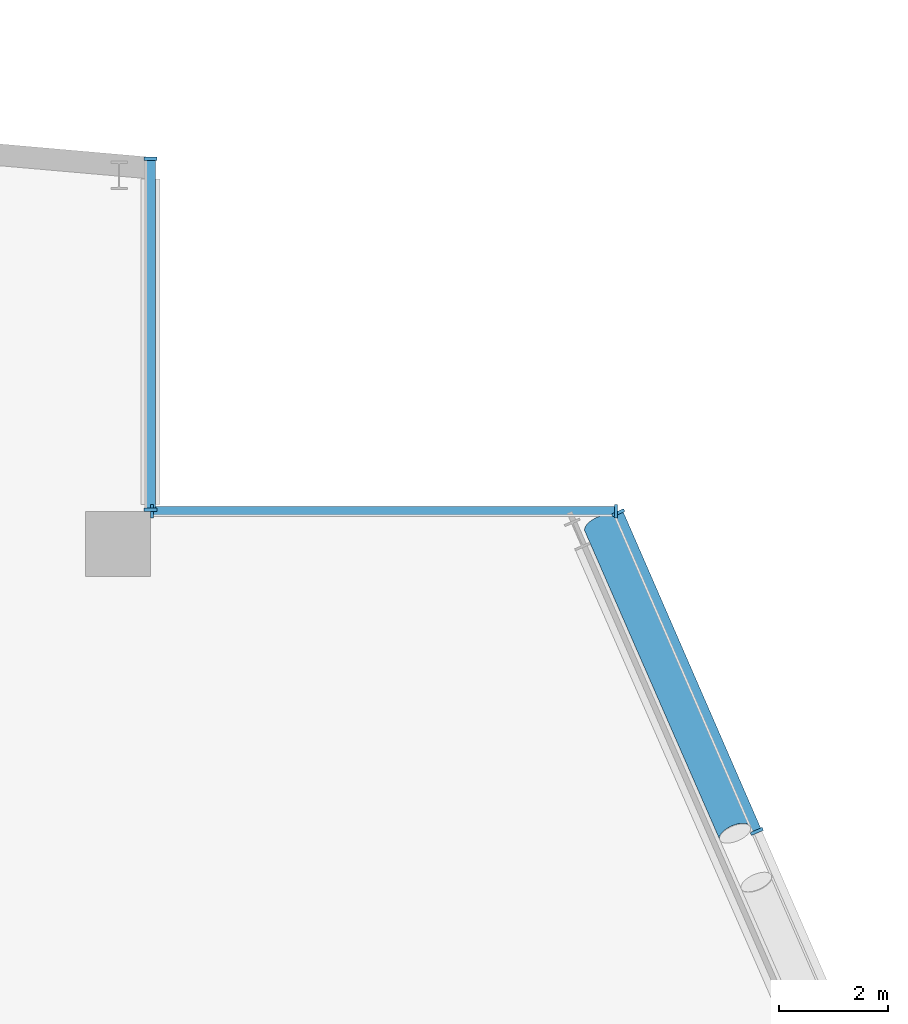
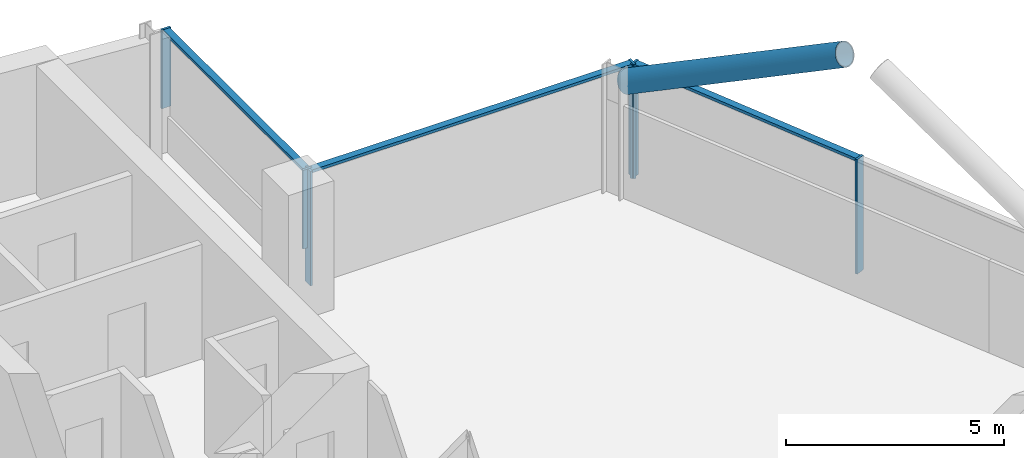
# One storey, part 11 of 25: 10 members, 3 elements without a shape of their own.
"""IFC4 building model written with IfcOpenShell, lengths in metres."""

from ifc_helpers import new_model, si_unit, direction, frame, origin, origin_2d, place, context, subcontext, project, spatial, rectangle, hollow_circle, extrude, material, material_profile, profile_set, type_object, element, aggregate, save


model = new_model("IFC4")

# Units and contexts
model_context = context("Model", 3, precision=1e-05, world=origin(), true_north=direction((0.0, 1.0)))
body_context = subcontext(model_context, "Body", "Model", "MODEL_VIEW")
ifc_project = project(units=[si_unit("LENGTHUNIT", "METRE"), si_unit("AREAUNIT", "SQUARE_METRE"), si_unit("VOLUMEUNIT", "CUBIC_METRE"), si_unit("PLANEANGLEUNIT", "RADIAN"), si_unit("MASSUNIT", "GRAM", prefix="KILO")], contexts=[model_context])

# Site, building, storey
site_placement = place(None, origin())
site = spatial("IfcSite", under=ifc_project, at=site_placement, CompositionType="ELEMENT")
building_placement = place(site_placement, origin())
building = spatial("IfcBuilding", under=site, at=building_placement, Name="Wharfspan Tower", CompositionType="ELEMENT")
storey_placement = place(building_placement, frame((0.0, 0.0, 232.300049)))
storey = spatial("IfcBuildingStorey", under=building, at=storey_placement, Name="L58", CompositionType="ELEMENT", Elevation=232.300049)

# Curtain wall, members
ifc_material_1 = material(Name="Aluminium 6063-T6", Category="aluminium")
curtain_wall_type = type_object("IfcCurtainWallType", Name="CURTAIN WALL PROW AND END", PredefinedType="NOTDEFINED", material=ifc_material_1)
curtain_wall_1_placement = place(storey_placement, origin())
curtain_wall_1 = element("IfcCurtainWall", 1, at=curtain_wall_1_placement, inside=storey, type_object=curtain_wall_type, Name="Curtain wall E", PredefinedType="NOTDEFINED")
ifc_material_profile_1 = material_profile(ifc_material_1, rectangle(XDim=0.23999, YDim=0.060059, at=origin_2d()))
ifc_profile_set_1 = profile_set([ifc_material_profile_1], Name="Aluminium 6063-T6")
member_type_1 = type_object("IfcMemberType", Name="MULLION PROW AND END 60x240", PredefinedType="MULLION", material=ifc_profile_set_1)
member_1_placement = place(storey_placement, frame((72.173828, 36.100098, 0.0), z_axis=(0.0, 0.0, 1.0), x_axis=(-0.917072, -0.398727, 0.0)))
member_1 = element("IfcMember", 2, at=member_1_placement, type_object=member_type_1, Name="Curtain wall E mullion 6", PredefinedType="MULLION", context=body_context, shape_type="SweptSolid", body=[
    extrude(rectangle(XDim=0.23999, YDim=0.060059, at=origin_2d()), origin(), (0.0, 0.0, 1.0), 3.199951),
])
member_2_placement = place(storey_placement, frame((69.620605, 41.972412, 0.0), z_axis=(0.0, 0.0, 1.0), x_axis=(-0.917072, -0.398727, 0.0)))
member_2 = element("IfcMember", 3, at=member_2_placement, type_object=member_type_1, Name="Curtain wall E mullion 7", PredefinedType="MULLION", context=body_context, shape_type="SweptSolid", body=[
    extrude(rectangle(XDim=0.23999, YDim=0.060059, at=origin_2d()), origin(), (0.0, 0.0, 1.0), 3.199951),
])

curtain_wall_2_placement = place(storey_placement, origin())
curtain_wall_2 = element("IfcCurtainWall", 4, at=curtain_wall_2_placement, inside=storey, type_object=curtain_wall_type, Name="Curtain wall NRE-H", PredefinedType="NOTDEFINED")
member_3_placement = place(storey_placement, frame((69.578613, 42.0, 0.0), z_axis=(0.0, 0.0, 1.0), x_axis=(0.0, -1.0, 0.0)))
member_3 = element("IfcMember", 5, at=member_3_placement, type_object=member_type_1, Name="Curtain wall NRE-H mullion 1", PredefinedType="MULLION", context=body_context, shape_type="SweptSolid", body=[
    extrude(rectangle(XDim=0.23999, YDim=0.060059, at=origin_2d()), origin(), (0.0, 0.0, 1.0), 3.199951),
])
member_4_placement = place(storey_placement, frame((61.030029, 42.0, 0.0), z_axis=(0.0, 0.0, 1.0), x_axis=(0.0, -1.0, 0.0)))
member_4 = element("IfcMember", 6, at=member_4_placement, type_object=member_type_1, Name="Curtain wall NRE-H mullion 2", PredefinedType="MULLION", context=body_context, shape_type="SweptSolid", body=[
    extrude(rectangle(XDim=0.23999, YDim=0.060059, at=origin_2d()), origin(), (0.0, 0.0, 1.0), 3.199951),
])

curtain_wall_3_placement = place(storey_placement, origin())
curtain_wall_3 = element("IfcCurtainWall", 7, at=curtain_wall_3_placement, inside=storey, type_object=curtain_wall_type, Name="Curtain wall NRE-V", PredefinedType="NOTDEFINED")
member_5_placement = place(storey_placement, frame((61.0, 42.030029, 1.0), z_axis=(0.0, 0.0, 1.0), x_axis=(-1.0, 0.0, 0.0)))
member_5 = element("IfcMember", 8, at=member_5_placement, type_object=member_type_1, Name="Curtain wall NRE-V mullion 1", PredefinedType="MULLION", context=body_context, shape_type="SweptSolid", body=[
    extrude(rectangle(XDim=0.23999, YDim=0.060059, at=origin_2d()), origin(), (0.0, 0.0, 1.0), 2.199951),
])
member_6_placement = place(storey_placement, frame((61.0, 48.494873, 1.0), z_axis=(0.0, 0.0, 1.0), x_axis=(-1.0, 0.0, 0.0)))
member_6 = element("IfcMember", 9, at=member_6_placement, type_object=member_type_1, Name="Curtain wall NRE-V mullion 2", PredefinedType="MULLION", context=body_context, shape_type="SweptSolid", body=[
    extrude(rectangle(XDim=0.23999, YDim=0.060059, at=origin_2d()), origin(), (0.0, 0.0, 1.0), 2.199951),
])

# Member
ifc_material_2 = material(Name="Steel S460NH", Category="steel")
ifc_material_profile_2 = material_profile(ifc_material_2, hollow_circle(Radius=0.304932, WallThickness=0.024902, at=origin_2d()))
ifc_profile_set_2 = profile_set([ifc_material_profile_2], Name="Steel S460NH")
member_type_2 = type_object("IfcMemberType", Name="Mega brace CHS 610x25", PredefinedType="BRACE", material=ifc_profile_set_2)
member_7_placement = place(storey_placement, frame((69.284424, 41.753662, 2.899902), z_axis=(0.352903, -0.807102, 0.473334), x_axis=(0.916243, 0.400624, -1e-06)))
element("IfcMember", 10, at=member_7_placement, inside=storey, type_object=member_type_2, Name="Mega brace E6 L59 part 3", PredefinedType="BRACE", context=body_context, shape_type="SweptSolid", body=[
    extrude(hollow_circle(Radius=0.304932, WallThickness=0.024902, at=origin_2d()), origin(), (0.0, 0.0, 1.0), 7.04248),
])

ifc_material_profile_3 = material_profile(ifc_material_1, rectangle(XDim=0.179932, YDim=0.080078, at=origin_2d()))
ifc_profile_set_3 = profile_set([ifc_material_profile_3], Name="Aluminium 6063-T6")
member_type_3 = type_object("IfcMemberType", Name="TRANSOM PROW AND END 80x180", PredefinedType="USERDEFINED", material=ifc_profile_set_3)
member_8_placement = place(storey_placement, frame((72.161865, 36.127441, 3.159912), z_axis=(-0.398712, 0.917076, 0.0), x_axis=(-0.917076, -0.398712, 0.0)))
member_8 = element("IfcMember", 11, at=member_8_placement, type_object=member_type_3, Name="Curtain wall E transom 6", ObjectType="TRANSOM", PredefinedType="USERDEFINED", context=body_context, shape_type="SweptSolid", body=[
    extrude(rectangle(XDim=0.179932, YDim=0.080078, at=origin_2d()), origin(), (0.0, 0.0, 1.0), 6.34375),
])

aggregate(curtain_wall_1, [member_1, member_2, member_8])

member_9_placement = place(storey_placement, frame((69.548584, 42.0, 3.159912), z_axis=(-1.0, 0.0, 0.0), x_axis=(0.0, -1.0, 0.0)))
member_9 = element("IfcMember", 12, at=member_9_placement, type_object=member_type_3, Name="Curtain wall NRE-H transom 1", ObjectType="TRANSOM", PredefinedType="USERDEFINED", context=body_context, shape_type="SweptSolid", body=[
    extrude(rectangle(XDim=0.179932, YDim=0.080078, at=origin_2d()), origin(), (0.0, 0.0, 1.0), 8.488525),
])

aggregate(curtain_wall_2, [member_3, member_4, member_9])

member_10_placement = place(storey_placement, frame((61.0, 42.060059, 3.159912), z_axis=(0.0, 1.0, 0.0), x_axis=(-1.0, 0.0, 0.0)))
member_10 = element("IfcMember", 13, at=member_10_placement, type_object=member_type_3, Name="Curtain wall NRE-V transom 1", ObjectType="TRANSOM", PredefinedType="USERDEFINED", context=body_context, shape_type="SweptSolid", body=[
    extrude(rectangle(XDim=0.179932, YDim=0.080078, at=origin_2d()), origin(), (0.0, 0.0, 1.0), 6.404785),
])

aggregate(curtain_wall_3, [member_5, member_6, member_10])

save(model, "model.ifc")
